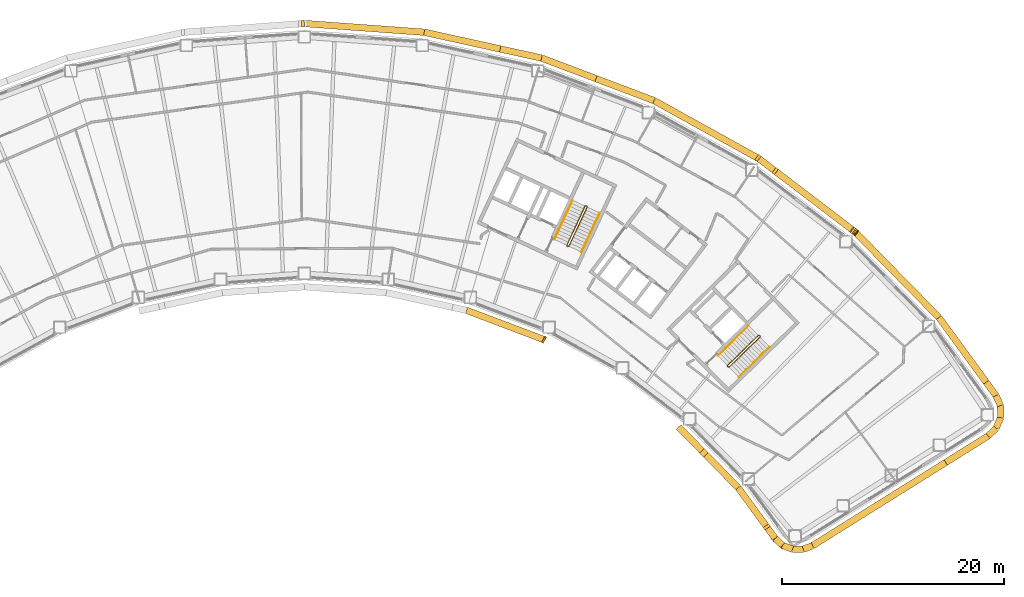
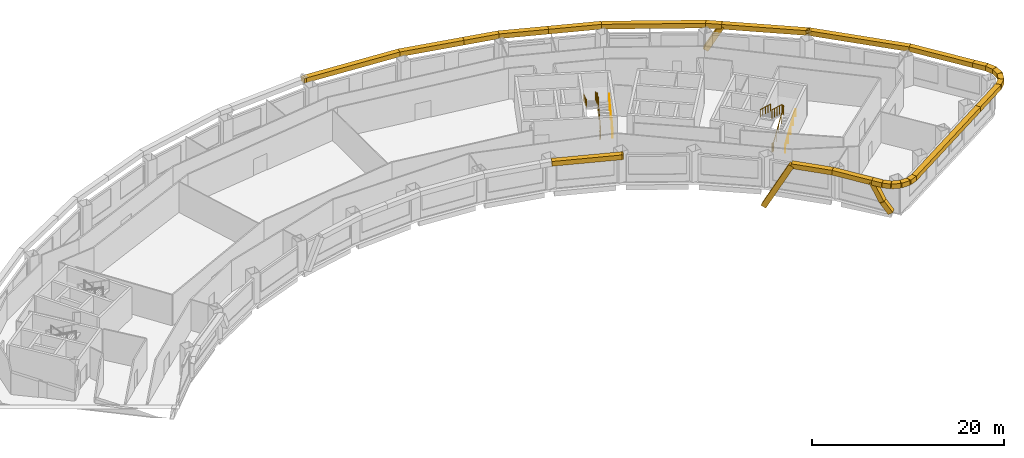
# One storey, part 12 of 12: 34 coverings, 6 railings.
"""IFC4 building model written with IfcOpenShell, lengths in metres."""

from ifc_helpers import new_model, si_unit, direction, frame, origin, origin_2d, place, context, subcontext, project, spatial, rectangle, circle, extrude, material, material_profile, profile_set, type_object, element, save


model = new_model("IFC4")

# Units and contexts
model_context = context("Model", 3, precision=1e-05, world=origin(), true_north=direction((0.0, 1.0)))
body_context = subcontext(model_context, "Body", "Model", "MODEL_VIEW")
ifc_project = project(units=[si_unit("LENGTHUNIT", "METRE"), si_unit("AREAUNIT", "SQUARE_METRE"), si_unit("VOLUMEUNIT", "CUBIC_METRE"), si_unit("PLANEANGLEUNIT", "RADIAN"), si_unit("MASSUNIT", "GRAM", prefix="KILO")], contexts=[model_context])

# Site, building, storey
site_placement = place(None, origin())
site = spatial("IfcSite", under=ifc_project, at=site_placement, CompositionType="ELEMENT")
building_placement = place(site_placement, origin())
building = spatial("IfcBuilding", under=site, at=building_placement, Name="Tuul Gate Civic Tower", CompositionType="ELEMENT")
storey_placement = place(building_placement, frame((0.0, 0.0, 103.5)))
storey = spatial("IfcBuildingStorey", under=building, at=storey_placement, Name="Level 23", CompositionType="ELEMENT", Elevation=103.5)

# Railings
ifc_material_1 = material(Name="Painted steel", Category="steel")
railing_type_1 = type_object("IfcRailingType", Name="Stair guard", PredefinedType="GUARDRAIL", material=ifc_material_1)
railing_1_placement = place(storey_placement, frame((48.10546875, -16.134765625, 0.0)))
element("IfcRailing", 1, at=railing_1_placement, inside=storey, type_object=railing_type_1, Name="Level 23 ST-3 stair guard 1", PredefinedType="GUARDRAIL", context=body_context, shape_type="SweptSolid", body=[
    extrude(circle(Radius=0.02392578125, at=origin_2d()), frame((0.0, 0.0, 1.076171875), z_axis=(-0.698506948293, 0.715603272202, 0.0), x_axis=(-0.715603272202, -0.698506948293, 0.0)), (0.0, 0.0, 1.0), 0.099853515625),
    extrude(circle(Radius=0.02392578125, at=origin_2d()), frame((-0.06982421875, 0.071533203125, 1.076171875), z_axis=(0.645446321009, -0.331687692741, 0.688027849131), x_axis=(0.457068866502, 0.889431307788, 0.0)), (0.0, 0.0, 1.0), 0.2177734375),
    extrude(circle(Radius=0.02392578125, at=origin_2d()), frame((0.07080078125, -0.000732421875, 1.22607421875), z_axis=(0.638715268259, 0.626117886127, 0.447235059857), x_axis=(-0.700029477518, 0.714113947914, 0.0)), (0.0, 0.0, 1.0), 4.360595703125),
    extrude(circle(Radius=0.02392578125, at=origin_2d()), frame((2.85595703125, 2.7294921875, 3.17626953125), z_axis=(0.010380063588, 0.999946125689, 0.0), x_axis=(-0.999946125689, 0.010380063588, 0.0)), (0.0, 0.0, 1.0), 0.070556640625),
    extrude(circle(Radius=0.02392578125, at=origin_2d()), frame((2.856689453125, 2.800048828125, 3.17626953125), z_axis=(-0.699754442181, 0.714383454909, 0.0), x_axis=(-0.714383454909, -0.699754442181, 0.0)), (0.0, 0.0, 1.0), 0.10009765625),
    extrude(circle(Radius=0.02392578125, at=origin_2d()), frame((2.78662109375, 2.87158203125, 3.17626953125), z_axis=(-0.427069033481, 0.004417955519, 0.904208229508), x_axis=(-0.010344274102, -0.999946496565, 0.0)), (0.0, 0.0, 1.0), 0.165771484375),
    extrude(circle(Radius=0.02392578125, at=origin_2d()), frame((2.7158203125, 2.872314453125, 3.326171875), z_axis=(-0.638731261263, -0.626133563701, 0.447190268558), x_axis=(0.700029477518, -0.714113947914, 0.0)), (0.0, 0.0, 1.0), 4.3603515625),
    extrude(circle(Radius=0.02099609375, at=origin_2d()), origin(), (0.0, 0.0, 1.0), 1.052001953125),
    extrude(circle(Radius=0.02099609375, at=origin_2d()), frame((-0.06982421875, 0.071533203125, 0.0)), (0.0, 0.0, 1.0), 1.052001953125),
    extrude(circle(Radius=0.02099609375, at=origin_2d()), frame((0.07080078125, -0.000732421875, 0.14990234375)), (0.0, 0.0, 1.0), 1.052001953125),
    extrude(circle(Radius=0.02099609375, at=origin_2d()), frame((0.76708984375, 0.681884765625, 0.637451171875)), (0.0, 0.0, 1.0), 1.052001953125),
    extrude(circle(Radius=0.02099609375, at=origin_2d()), frame((1.46337890625, 1.3642578125, 1.125)), (0.0, 0.0, 1.0), 1.052001953125),
    extrude(circle(Radius=0.02099609375, at=origin_2d()), frame((2.15966796875, 2.046875, 1.612548828125)), (0.0, 0.0, 1.0), 1.052001953125),
    extrude(circle(Radius=0.02099609375, at=origin_2d()), frame((2.85595703125, 2.7294921875, 2.10009765625)), (0.0, 0.0, 1.0), 1.052001953125),
    extrude(circle(Radius=0.02099609375, at=origin_2d()), frame((2.856689453125, 2.800048828125, 2.10009765625)), (0.0, 0.0, 1.0), 1.052001953125),
    extrude(circle(Radius=0.02099609375, at=origin_2d()), frame((2.78662109375, 2.87158203125, 2.10009765625)), (0.0, 0.0, 1.0), 1.052001953125),
    extrude(circle(Radius=0.02099609375, at=origin_2d()), frame((2.7158203125, 2.872314453125, 2.25)), (0.0, 0.0, 1.0), 1.052001953125),
    extrude(circle(Radius=0.02099609375, at=origin_2d()), frame((2.01953125, 2.189697265625, 2.737548828125)), (0.0, 0.0, 1.0), 1.052001953125),
    extrude(circle(Radius=0.02099609375, at=origin_2d()), frame((1.3232421875, 1.50732421875, 3.22509765625)), (0.0, 0.0, 1.0), 1.052001953125),
    extrude(circle(Radius=0.02099609375, at=origin_2d()), frame((0.626953125, 0.82470703125, 3.71240234375)), (0.0, 0.0, 1.0), 1.052001953125),
    extrude(circle(Radius=0.02099609375, at=origin_2d()), frame((-0.0693359375, 0.14208984375, 4.199951171875)), (0.0, 0.0, 1.0), 1.052001953125),
])
railing_2_placement = place(storey_placement, frame((33.645751953125, -5.238525390625, 0.0)))
element("IfcRailing", 2, at=railing_2_placement, inside=storey, type_object=railing_type_1, Name="Level 23 ST-4 stair guard 1", PredefinedType="GUARDRAIL", context=body_context, shape_type="SweptSolid", body=[
    extrude(circle(Radius=0.02392578125, at=origin_2d()), frame((0.0, 0.0, 1.076171875), z_axis=(-0.906307919131, 0.422617978463, 0.0), x_axis=(-0.422617978463, -0.906307919131, 0.0)), (0.0, 0.0, 1.0), 0.099853515625),
    extrude(circle(Radius=0.02392578125, at=origin_2d()), frame((-0.090576171875, 0.042236328125, 1.076171875), z_axis=(0.720735628292, -0.082946246491, 0.688229666829), x_axis=(0.114330889033, 0.993442724979, 0.0)), (0.0, 0.0, 1.0), 0.2177734375),
    extrude(circle(Radius=0.02392578125, at=origin_2d()), frame((0.06640625, 0.024169921875, 1.22607421875), z_axis=(0.377937439636, 0.810633814971, 0.447253965602), x_axis=(-0.906336612539, 0.422556439746, 0.0)), (0.0, 0.0, 1.0), 4.3603515625),
    extrude(circle(Radius=0.02392578125, at=origin_2d()), frame((1.71435546875, 3.558837890625, 3.17626953125), z_axis=(-0.342020437038, 0.939692513883, 0.0), x_axis=(-0.939692513883, -0.342020437038, 0.0)), (0.0, 0.0, 1.0), 0.070556640625),
    extrude(circle(Radius=0.02392578125, at=origin_2d()), frame((1.690185546875, 3.625244140625, 3.17626953125), z_axis=(-0.906307919131, 0.422617978463, 0.0), x_axis=(-0.422617978463, -0.906307919131, 0.0)), (0.0, 0.0, 1.0), 0.099853515625),
    extrude(circle(Radius=0.02392578125, at=origin_2d()), frame((1.599609375, 3.66748046875, 3.17626953125), z_axis=(-0.40070210376, -0.145843780413, 0.904526072458), x_axis=(0.342020437038, -0.939692513883, 0.0)), (0.0, 0.0, 1.0), 0.165771484375),
    extrude(circle(Radius=0.02392578125, at=origin_2d()), frame((1.533203125, 3.643310546875, 3.326171875), z_axis=(-0.377946903738, -0.810654114417, 0.447209173356), x_axis=(0.906336612539, -0.422556439746, 0.0)), (0.0, 0.0, 1.0), 4.3603515625),
    extrude(circle(Radius=0.02099609375, at=origin_2d()), origin(), (0.0, 0.0, 1.0), 1.052001953125),
    extrude(circle(Radius=0.02099609375, at=origin_2d()), frame((-0.090576171875, 0.042236328125, 0.0)), (0.0, 0.0, 1.0), 1.052001953125),
    extrude(circle(Radius=0.02099609375, at=origin_2d()), frame((0.06640625, 0.024169921875, 0.14990234375)), (0.0, 0.0, 1.0), 1.052001953125),
    extrude(circle(Radius=0.02099609375, at=origin_2d()), frame((0.478515625, 0.90771484375, 0.637451171875)), (0.0, 0.0, 1.0), 1.052001953125),
    extrude(circle(Radius=0.02099609375, at=origin_2d()), frame((0.890380859375, 1.79150390625, 1.125)), (0.0, 0.0, 1.0), 1.052001953125),
    extrude(circle(Radius=0.02099609375, at=origin_2d()), frame((1.30224609375, 2.67529296875, 1.612548828125)), (0.0, 0.0, 1.0), 1.052001953125),
    extrude(circle(Radius=0.02099609375, at=origin_2d()), frame((1.71435546875, 3.558837890625, 2.10009765625)), (0.0, 0.0, 1.0), 1.052001953125),
    extrude(circle(Radius=0.02099609375, at=origin_2d()), frame((1.690185546875, 3.625244140625, 2.10009765625)), (0.0, 0.0, 1.0), 1.052001953125),
    extrude(circle(Radius=0.02099609375, at=origin_2d()), frame((1.599609375, 3.66748046875, 2.10009765625)), (0.0, 0.0, 1.0), 1.052001953125),
    extrude(circle(Radius=0.02099609375, at=origin_2d()), frame((1.533203125, 3.643310546875, 2.25)), (0.0, 0.0, 1.0), 1.052001953125),
    extrude(circle(Radius=0.02099609375, at=origin_2d()), frame((1.12109375, 2.759765625, 2.737548828125)), (0.0, 0.0, 1.0), 1.052001953125),
    extrude(circle(Radius=0.02099609375, at=origin_2d()), frame((0.709228515625, 1.8759765625, 3.22509765625)), (0.0, 0.0, 1.0), 1.052001953125),
    extrude(circle(Radius=0.02099609375, at=origin_2d()), frame((0.29736328125, 0.9921875, 3.71240234375)), (0.0, 0.0, 1.0), 1.052001953125),
    extrude(circle(Radius=0.02099609375, at=origin_2d()), frame((-0.11474609375, 0.108642578125, 4.199951171875)), (0.0, 0.0, 1.0), 1.052001953125),
])
ifc_material_2 = material(Name="Painted steel", Category="steel")
railing_type_2 = type_object("IfcRailingType", Name="Stair handrail", PredefinedType="HANDRAIL", material=ifc_material_2)
railing_3_placement = place(storey_placement, frame((49.05126953125, -17.028076171875, 0.14990234375)))
element("IfcRailing", 3, at=railing_3_placement, inside=storey, type_object=railing_type_2, Name="Level 23 ST-3 stair handrail 1", PredefinedType="HANDRAIL", context=body_context, shape_type="SweptSolid", body=[
    extrude(circle(Radius=0.02392578125, at=origin_2d()), frame((0.0, 0.0, 0.8759765625), z_axis=(0.638737658801, 0.626083844733, 0.447250737947), x_axis=(-0.699997553204, 0.714145241186, 0.0)), (0.0, 0.0, 1.0), 4.3603515625),
    extrude(circle(Radius=0.02099609375, at=origin_2d()), origin(), (0.0, 0.0, 1.0), 0.851806640625),
    extrude(circle(Radius=0.02099609375, at=origin_2d()), frame((0.6962890625, 0.6826171875, 0.487548828125)), (0.0, 0.0, 1.0), 0.851806640625),
    extrude(circle(Radius=0.02099609375, at=origin_2d()), frame((1.392578125, 1.364990234375, 0.97509765625)), (0.0, 0.0, 1.0), 0.851806640625),
    extrude(circle(Radius=0.02099609375, at=origin_2d()), frame((2.0888671875, 2.04736328125, 1.462646484375)), (0.0, 0.0, 1.0), 0.851806640625),
    extrude(circle(Radius=0.02099609375, at=origin_2d()), frame((2.78515625, 2.72998046875, 1.9501953125)), (0.0, 0.0, 1.0), 0.851806640625),
])
railing_4_placement = place(storey_placement, frame((49.9462890625, -12.369873046875, 2.25)))
element("IfcRailing", 4, at=railing_4_placement, inside=storey, type_object=railing_type_2, Name="Level 23 ST-3 stair handrail 2", PredefinedType="HANDRAIL", context=body_context, shape_type="SweptSolid", body=[
    extrude(circle(Radius=0.02392578125, at=origin_2d()), frame((0.0, 0.0, 0.8759765625), z_axis=(-0.638753653487, -0.626099522554, 0.447205945863), x_axis=(0.699997553204, -0.714145241186, 0.0)), (0.0, 0.0, 1.0), 4.3603515625),
    extrude(circle(Radius=0.02099609375, at=origin_2d()), origin(), (0.0, 0.0, 1.0), 0.851806640625),
    extrude(circle(Radius=0.02099609375, at=origin_2d()), frame((-0.6962890625, -0.6826171875, 0.487548828125)), (0.0, 0.0, 1.0), 0.851806640625),
    extrude(circle(Radius=0.02099609375, at=origin_2d()), frame((-1.392578125, -1.364990234375, 0.97509765625)), (0.0, 0.0, 1.0), 0.851806640625),
    extrude(circle(Radius=0.02099609375, at=origin_2d()), frame((-2.0888671875, -2.04736328125, 1.46240234375)), (0.0, 0.0, 1.0), 0.851806640625),
    extrude(circle(Radius=0.02099609375, at=origin_2d()), frame((-2.78515625, -2.72998046875, 1.949951171875)), (0.0, 0.0, 1.0), 0.851806640625),
])
railing_5_placement = place(storey_placement, frame((34.844970703125, -5.74267578125, 0.14990234375)))
element("IfcRailing", 5, at=railing_5_placement, inside=storey, type_object=railing_type_2, Name="Level 23 ST-4 stair handrail 1", PredefinedType="HANDRAIL", context=body_context, shape_type="SweptSolid", body=[
    extrude(circle(Radius=0.02392578125, at=origin_2d()), frame((0.0, 0.0, 0.8759765625), z_axis=(0.377985431313, 0.810616660428, 0.447244500863), x_axis=(-0.906312636903, 0.422607861012, 0.0)), (0.0, 0.0, 1.0), 4.3603515625),
    extrude(circle(Radius=0.02099609375, at=origin_2d()), origin(), (0.0, 0.0, 1.0), 0.851806640625),
    extrude(circle(Radius=0.02099609375, at=origin_2d()), frame((0.412109375, 0.8837890625, 0.487548828125)), (0.0, 0.0, 1.0), 0.851806640625),
    extrude(circle(Radius=0.02099609375, at=origin_2d()), frame((0.82421875, 1.767333984375, 0.97509765625)), (0.0, 0.0, 1.0), 0.851806640625),
    extrude(circle(Radius=0.02099609375, at=origin_2d()), frame((1.236083984375, 2.65087890625, 1.462646484375)), (0.0, 0.0, 1.0), 0.851806640625),
    extrude(circle(Radius=0.02099609375, at=origin_2d()), frame((1.648193359375, 3.53466796875, 1.9501953125)), (0.0, 0.0, 1.0), 0.851806640625),
])
railing_6_placement = place(storey_placement, frame((34.046142578125, -1.06689453125, 2.25)))
element("IfcRailing", 6, at=railing_6_placement, inside=storey, type_object=railing_type_2, Name="Level 23 ST-4 stair handrail 2", PredefinedType="HANDRAIL", context=body_context, shape_type="SweptSolid", body=[
    extrude(circle(Radius=0.02392578125, at=origin_2d()), frame((0.0, 0.0, 0.8759765625), z_axis=(-0.377994896215, -0.810636958585, 0.447199709091), x_axis=(0.906312636903, -0.422607861012, 0.0)), (0.0, 0.0, 1.0), 4.3603515625),
    extrude(circle(Radius=0.02099609375, at=origin_2d()), origin(), (0.0, 0.0, 1.0), 0.851806640625),
    extrude(circle(Radius=0.02099609375, at=origin_2d()), frame((-0.412109375, -0.8837890625, 0.487548828125)), (0.0, 0.0, 1.0), 0.851806640625),
    extrude(circle(Radius=0.02099609375, at=origin_2d()), frame((-0.82421875, -1.767333984375, 0.97509765625)), (0.0, 0.0, 1.0), 0.851806640625),
    extrude(circle(Radius=0.02099609375, at=origin_2d()), frame((-1.236083984375, -2.65087890625, 1.46240234375)), (0.0, 0.0, 1.0), 0.851806640625),
    extrude(circle(Radius=0.02099609375, at=origin_2d()), frame((-1.648193359375, -3.53466796875, 1.949951171875)), (0.0, 0.0, 1.0), 0.851806640625),
])

# Coverings
ifc_material_3 = material(Name="Terracotta baguette", Category="masonry")
ifc_material_profile = material_profile(ifc_material_3, rectangle(XDim=0.60009765625, YDim=0.60009765625, at=origin_2d()), Name="Terracotta baguette screen frame")
ifc_profile_set = profile_set([ifc_material_profile], Name="Terracotta baguette")
covering_type = type_object("IfcCoveringType", Name="Terracotta baguette screen frame", PredefinedType="CLADDING", material=ifc_profile_set)
covering_1_placement = place(storey_placement, frame((67.73046875, -24.738525390625, 3.85009765625), z_axis=(0.848058898511, 0.529901976461, 0.0), x_axis=(-0.529901976461, 0.848058898511, 0.0)))
element("IfcCovering", 7, at=covering_1_placement, inside=storey, type_object=covering_type, Name="Baguette 4", PredefinedType="CLADDING", context=body_context, shape_type="SweptSolid", body=[
    extrude(rectangle(XDim=0.60009765625, YDim=0.60009765625, at=origin_2d()), origin(), (0.0, 0.0, 1.0), 4.526611328125),
])
covering_2_placement = place(storey_placement, frame((71.5693359375, -22.33984375, 3.85009765625), z_axis=(0.721550422979, 0.69236189027, 0.0), x_axis=(-0.69236189027, 0.721550422979, 0.0)))
element("IfcCovering", 8, at=covering_2_placement, inside=storey, type_object=covering_type, Name="Baguette 5", PredefinedType="CLADDING", context=body_context, shape_type="SweptSolid", body=[
    extrude(rectangle(XDim=0.60009765625, YDim=0.60009765625, at=origin_2d()), origin(), (0.0, 0.0, 1.0), 0.987060546875),
])
for number, where, z_axis, x_axis, name in (
    (9, (72.281494140625, -21.656494140625, 3.85009765625), (0.386726676251, 0.922194381829, 0.0), (-0.922194381829, 0.386726676251, 0.0), "Baguette 6"),
    (10, (72.694091796875, -20.672607421875, 3.85009765625), (-0.014414978083, 0.999896098806, 0.0), (-0.999896098806, -0.014414978083, 0.0), "Baguette 7"),
):
    element("IfcCovering", number, at=place(storey_placement, frame(where, z_axis=z_axis, x_axis=x_axis)), inside=storey, type_object=covering_type, Name=name, PredefinedType="CLADDING", context=body_context, shape_type="SweptSolid", body=[
        extrude(rectangle(XDim=0.60009765625, YDim=0.60009765625, at=origin_2d()), origin(), (0.0, 0.0, 1.0), 1.06689453125),
    ])
covering_3_placement = place(storey_placement, frame((72.6787109375, -19.605712890625, 3.85009765625), z_axis=(-0.4130215853, 0.910721236206, 0.0), x_axis=(-0.910721236206, -0.4130215853, 0.0)))
element("IfcCovering", 11, at=covering_3_placement, inside=storey, type_object=covering_type, Name="Baguette 8", PredefinedType="CLADDING", context=body_context, shape_type="SweptSolid", body=[
    extrude(rectangle(XDim=0.60009765625, YDim=0.60009765625, at=origin_2d()), origin(), (0.0, 0.0, 1.0), 0.989013671875),
])
covering_4_placement = place(storey_placement, frame((72.270263671875, -18.705078125, 3.85009765625), z_axis=(-0.589762746012, 0.807576561953, 0.0), x_axis=(-0.807576561953, -0.589762746012, 0.0)))
element("IfcCovering", 12, at=covering_4_placement, inside=storey, type_object=covering_type, Name="Baguette 9", PredefinedType="CLADDING", context=body_context, shape_type="SweptSolid", body=[
    extrude(rectangle(XDim=0.60009765625, YDim=0.60009765625, at=origin_2d()), origin(), (0.0, 0.0, 1.0), 1.4951171875),
])
covering_5_placement = place(storey_placement, frame((59.522705078125, -3.902099609375, 4.0185546875), z_axis=(-0.378602080571, 0.288094512488, -0.879580591226), x_axis=(-0.605558723576, -0.795800623461, 0.0)))
element("IfcCovering", 13, at=covering_5_placement, inside=storey, type_object=covering_type, Name="Baguette 28", PredefinedType="CLADDING", context=body_context, shape_type="SweptSolid", body=[
    extrude(rectangle(XDim=0.60009765625, YDim=0.60009765625, at=origin_2d()), origin(), (0.0, 0.0, 1.0), 0.19140625),
])
covering_6_placement = place(storey_placement, frame((59.4501953125, -3.846923828125, 3.85009765625), z_axis=(0.378177979308, -0.287771795702, -0.879868631993), x_axis=(0.605558723576, 0.795800623461, 0.0)))
element("IfcCovering", 14, at=covering_6_placement, inside=storey, type_object=covering_type, Name="Baguette 31", PredefinedType="CLADDING", context=body_context, shape_type="SweptSolid", body=[
    extrude(rectangle(XDim=0.60009765625, YDim=0.60009765625, at=origin_2d()), origin(), (0.0, 0.0, 1.0), 0.191650390625),
])
covering_7_placement = place(storey_placement, frame((59.4501953125, -3.846923828125, 3.85009765625), z_axis=(-0.795619472346, 0.605796711136, 0.0), x_axis=(-0.605796711136, -0.795619472346, 0.0)))
element("IfcCovering", 15, at=covering_7_placement, inside=storey, type_object=covering_type, Name="Baguette 33", PredefinedType="CLADDING", context=body_context, shape_type="SweptSolid", body=[
    extrude(rectangle(XDim=0.60009765625, YDim=0.60009765625, at=origin_2d()), origin(), (0.0, 0.0, 1.0), 9.072509765625),
])
covering_8_placement = place(storey_placement, frame((52.23193359375, 1.649169921875, 3.85009765625), z_axis=(-0.37802647265, 0.287849975901, -0.879908164157), x_axis=(-0.605816557049, -0.795604360977, 0.0)))
element("IfcCovering", 16, at=covering_8_placement, inside=storey, type_object=covering_type, Name="Baguette 37", PredefinedType="CLADDING", context=body_context, shape_type="SweptSolid", body=[
    extrude(rectangle(XDim=0.60009765625, YDim=0.60009765625, at=origin_2d()), origin(), (0.0, 0.0, 1.0), 3.552001953125),
])
covering_9_placement = place(storey_placement, frame((36.15478515625, 9.914794921875, 3.85009765625), z_axis=(-0.935382818769, 0.353636794398, 0.0), x_axis=(-0.353636794398, -0.935382818769, 0.0)))
element("IfcCovering", 17, at=covering_9_placement, inside=storey, type_object=covering_type, Name="Baguette 54", PredefinedType="CLADDING", context=body_context, shape_type="SweptSolid", body=[
    extrude(rectangle(XDim=0.60009765625, YDim=0.60009765625, at=origin_2d()), origin(), (0.0, 0.0, 1.0), 5.245361328125),
])
covering_10_placement = place(storey_placement, frame((31.248291015625, 11.769775390625, 3.85009765625), z_axis=(-0.976560859311, 0.215241464549, 0.0), x_axis=(-0.215241464549, -0.976560859311, 0.0)))
element("IfcCovering", 18, at=covering_10_placement, inside=storey, type_object=covering_type, Name="Baguette 55", PredefinedType="CLADDING", context=body_context, shape_type="SweptSolid", body=[
    extrude(rectangle(XDim=0.60009765625, YDim=0.60009765625, at=origin_2d()), origin(), (0.0, 0.0, 1.0), 3.826904296875),
])
covering_11_placement = place(storey_placement, frame((24.471435546875, -11.004638671875, 3.85009765625), z_axis=(0.935357193845, -0.353704565878, 0.0), x_axis=(0.353704565878, 0.935357193845, 0.0)))
element("IfcCovering", 19, at=covering_11_placement, inside=storey, type_object=covering_type, Name="Baguette 230", PredefinedType="CLADDING", context=body_context, shape_type="SweptSolid", body=[
    extrude(rectangle(XDim=0.60009765625, YDim=0.60009765625, at=origin_2d()), origin(), (0.0, 0.0, 1.0), 7.41796875),
])
covering_12_placement = place(storey_placement, frame((31.409912109375, -13.62841796875, 3.85009765625), z_axis=(0.875065648596, -0.484004246518, 0.0), x_axis=(0.484004246518, 0.875065648596, 0.0)))
element("IfcCovering", 20, at=covering_12_placement, inside=storey, type_object=covering_type, Name="Baguette 231", PredefinedType="CLADDING", context=body_context, shape_type="SweptSolid", body=[
    extrude(rectangle(XDim=0.60009765625, YDim=0.60009765625, at=origin_2d()), origin(), (0.0, 0.0, 1.0), 0.13916015625),
])
covering_13_placement = place(storey_placement, frame((45.904541015625, -23.8662109375, 3.85009765625), z_axis=(-0.32632537998, 0.332872323124, -0.884707727376), x_axis=(-0.714094324474, -0.700049495218, 0.0)))
element("IfcCovering", 21, at=covering_13_placement, inside=storey, type_object=covering_type, Name="Baguette 250", PredefinedType="CLADDING", context=body_context, shape_type="SweptSolid", body=[
    extrude(rectangle(XDim=0.60009765625, YDim=0.60009765625, at=origin_2d()), origin(), (0.0, 0.0, 1.0), 6.451416015625),
])
covering_14_placement = place(storey_placement, frame((45.904541015625, -23.8662109375, 3.85009765625), z_axis=(0.700042634993, -0.714101049706, 0.0), x_axis=(0.714101049706, 0.700042634993, 0.0)))
element("IfcCovering", 22, at=covering_14_placement, inside=storey, type_object=covering_type, Name="Baguette 252", PredefinedType="CLADDING", context=body_context, shape_type="SweptSolid", body=[
    extrude(rectangle(XDim=0.60009765625, YDim=0.60009765625, at=origin_2d()), origin(), (0.0, 0.0, 1.0), 4.410888671875),
])
covering_15_placement = place(storey_placement, frame((48.992431640625, -27.01611328125, 3.85009765625), z_axis=(0.589715825442, -0.807610825351, 0.0), x_axis=(0.807610825351, 0.589715825442, 0.0)))
element("IfcCovering", 23, at=covering_15_placement, inside=storey, type_object=covering_type, Name="Baguette 253", PredefinedType="CLADDING", context=body_context, shape_type="SweptSolid", body=[
    extrude(rectangle(XDim=0.60009765625, YDim=0.60009765625, at=origin_2d()), origin(), (0.0, 0.0, 1.0), 4.518798828125),
])
covering_16_placement = place(storey_placement, frame((51.6572265625, -30.66552734375, 3.85009765625), z_axis=(0.278689407579, -0.381596272159, -0.881315209887), x_axis=(0.807561873714, 0.589782858452, 0.0)))
element("IfcCovering", 24, at=covering_16_placement, inside=storey, type_object=covering_type, Name="Baguette 258", PredefinedType="CLADDING", context=body_context, shape_type="SweptSolid", body=[
    extrude(rectangle(XDim=0.60009765625, YDim=0.60009765625, at=origin_2d()), origin(), (0.0, 0.0, 1.0), 2.43896484375),
])
covering_17_placement = place(storey_placement, frame((52.3369140625, -31.59619140625, 1.70068359375), z_axis=(0.418440465223, -0.391899916427, -0.819342439136), x_axis=(0.683580829185, 0.729874818013, 0.0)))
element("IfcCovering", 25, at=covering_17_placement, inside=storey, type_object=covering_type, Name="Baguette 259", PredefinedType="CLADDING", context=body_context, shape_type="SweptSolid", body=[
    extrude(rectangle(XDim=0.60009765625, YDim=0.60009765625, at=origin_2d()), origin(), (0.0, 0.0, 1.0), 1.572998046875),
])
covering_18_placement = place(storey_placement, frame((71.388427734375, -17.49755859375, 3.85009765625), z_axis=(-0.589828854235, 0.807528279822, 0.0), x_axis=(-0.807528279822, -0.589828854235, 0.0)))
element("IfcCovering", 26, at=covering_18_placement, inside=storey, type_object=covering_type, Name="Baguette 291", PredefinedType="CLADDING", context=body_context, shape_type="SweptSolid", body=[
    extrude(rectangle(XDim=0.60009765625, YDim=0.60009765625, at=origin_2d()), origin(), (0.0, 0.0, 1.0), 7.239013671875),
])
covering_19_placement = place(storey_placement, frame((67.11865234375, -11.65185546875, 3.85009765625), z_axis=(-0.699984355025, 0.714158177661, 0.0), x_axis=(-0.714158177661, -0.699984355025, 0.0)))
element("IfcCovering", 27, at=covering_19_placement, inside=storey, type_object=covering_type, Name="Baguette 292", PredefinedType="CLADDING", context=body_context, shape_type="SweptSolid", body=[
    extrude(rectangle(XDim=0.60009765625, YDim=0.60009765625, at=origin_2d()), origin(), (0.0, 0.0, 1.0), 10.8515625),
])
covering_20_placement = place(storey_placement, frame((59.522705078125, -3.902099609375, 3.85009765625), z_axis=(-0.795800623461, 0.605558723576, 0.0), x_axis=(-0.605558723576, -0.795800623461, 0.0)))
element("IfcCovering", 28, at=covering_20_placement, inside=storey, type_object=covering_type, Name="Baguette 293", PredefinedType="CLADDING", context=body_context, shape_type="SweptSolid", body=[
    extrude(rectangle(XDim=0.60009765625, YDim=0.60009765625, at=origin_2d()), origin(), (0.0, 0.0, 1.0), 0.091064453125),
])
covering_21_placement = place(storey_placement, frame((52.23193359375, 1.649169921875, 3.85009765625), z_axis=(-0.795604360977, 0.605816557049, 0.0), x_axis=(-0.605816557049, -0.795604360977, 0.0)))
element("IfcCovering", 29, at=covering_21_placement, inside=storey, type_object=covering_type, Name="Baguette 300", PredefinedType="CLADDING", context=body_context, shape_type="SweptSolid", body=[
    extrude(rectangle(XDim=0.60009765625, YDim=0.60009765625, at=origin_2d()), origin(), (0.0, 0.0, 1.0), 1.687744140625),
])
covering_22_placement = place(storey_placement, frame((50.88916015625, 2.671630859375, 3.85009765625), z_axis=(-0.874626999089, 0.484796464987, 0.0), x_axis=(-0.484796464987, -0.874626999089, 0.0)))
element("IfcCovering", 30, at=covering_22_placement, inside=storey, type_object=covering_type, Name="Baguette 301", PredefinedType="CLADDING", context=body_context, shape_type="SweptSolid", body=[
    extrude(rectangle(XDim=0.60009765625, YDim=0.60009765625, at=origin_2d()), origin(), (0.0, 0.0, 1.0), 10.8515625),
])
covering_23_placement = place(storey_placement, frame((41.398193359375, 7.932373046875, 3.85009765625), z_axis=(-0.935378952013, 0.353647021946, 0.0), x_axis=(-0.353647021946, -0.935378952013, 0.0)))
element("IfcCovering", 31, at=covering_23_placement, inside=storey, type_object=covering_type, Name="Baguette 302", PredefinedType="CLADDING", context=body_context, shape_type="SweptSolid", body=[
    extrude(rectangle(XDim=0.60009765625, YDim=0.60009765625, at=origin_2d()), origin(), (0.0, 0.0, 1.0), 5.605712890625),
])
covering_24_placement = place(storey_placement, frame((27.510986328125, 12.593505859375, 3.85009765625), z_axis=(-0.976573958197, 0.215182025668, 0.0), x_axis=(-0.215182025668, -0.976573958197, 0.0)))
element("IfcCovering", 32, at=covering_24_placement, inside=storey, type_object=covering_type, Name="Baguette 306", PredefinedType="CLADDING", context=body_context, shape_type="SweptSolid", body=[
    extrude(rectangle(XDim=0.60009765625, YDim=0.60009765625, at=origin_2d()), origin(), (0.0, 0.0, 1.0), 7.024169921875),
])
covering_25_placement = place(storey_placement, frame((20.6513671875, 14.10498046875, 3.85009765625), z_axis=(-0.997380210295, 0.072337515252, 0.0), x_axis=(-0.072337515252, -0.997380210295, 0.0)))
element("IfcCovering", 33, at=covering_25_placement, inside=storey, type_object=covering_type, Name="Baguette 307", PredefinedType="CLADDING", context=body_context, shape_type="SweptSolid", body=[
    extrude(rectangle(XDim=0.60009765625, YDim=0.60009765625, at=origin_2d()), origin(), (0.0, 0.0, 1.0), 10.8505859375),
])
covering_26_placement = place(storey_placement, frame((9.8291015625, 14.889892578125, 3.85009765625), z_axis=(-0.997444910105, -0.071439843969, 0.0), x_axis=(0.071439843969, -0.997444910105, 0.0)))
element("IfcCovering", 34, at=covering_26_placement, inside=storey, type_object=covering_type, Name="Baguette 308", PredefinedType="CLADDING", context=body_context, shape_type="SweptSolid", body=[
    extrude(rectangle(XDim=0.60009765625, YDim=0.60009765625, at=origin_2d()), origin(), (0.0, 0.0, 1.0), 0.27001953125),
])
covering_27_placement = place(storey_placement, frame((51.6572265625, -30.66552734375, 3.85009765625), z_axis=(0.589782858452, -0.807561873714, 0.0), x_axis=(0.807561873714, 0.589782858452, 0.0)))
element("IfcCovering", 35, at=covering_27_placement, inside=storey, type_object=covering_type, Name="Baguette 371", PredefinedType="CLADDING", context=body_context, shape_type="SweptSolid", body=[
    extrude(rectangle(XDim=0.60009765625, YDim=0.60009765625, at=origin_2d()), origin(), (0.0, 0.0, 1.0), 1.15234375),
])
covering_28_placement = place(storey_placement, frame((52.3369140625, -31.59619140625, 3.85009765625), z_axis=(0.729874818013, -0.683580829185, 0.0), x_axis=(0.683580829185, 0.729874818013, 0.0)))
element("IfcCovering", 36, at=covering_28_placement, inside=storey, type_object=covering_type, Name="Baguette 372", PredefinedType="CLADDING", context=body_context, shape_type="SweptSolid", body=[
    extrude(rectangle(XDim=0.60009765625, YDim=0.60009765625, at=origin_2d()), origin(), (0.0, 0.0, 1.0), 0.90185546875),
])
covering_29_placement = place(storey_placement, frame((52.9951171875, -32.212646484375, 3.85009765625), z_axis=(0.92951118864, -0.368793912902, 0.0), x_axis=(0.368793912902, 0.92951118864, 0.0)))
element("IfcCovering", 37, at=covering_29_placement, inside=storey, type_object=covering_type, Name="Baguette 373", PredefinedType="CLADDING", context=body_context, shape_type="SweptSolid", body=[
    extrude(rectangle(XDim=0.60009765625, YDim=0.60009765625, at=origin_2d()), origin(), (0.0, 0.0, 1.0), 0.97314453125),
])
covering_30_placement = place(storey_placement, frame((53.899658203125, -32.571533203125, 3.85009765625), z_axis=(0.99999546609, -0.003011278693, 0.0), x_axis=(0.003011278693, 0.99999546609, 0.0)))
element("IfcCovering", 38, at=covering_30_placement, inside=storey, type_object=covering_type, Name="Baguette 374", PredefinedType="CLADDING", context=body_context, shape_type="SweptSolid", body=[
    extrude(rectangle(XDim=0.60009765625, YDim=0.60009765625, at=origin_2d()), origin(), (0.0, 0.0, 1.0), 0.972900390625),
])
covering_31_placement = place(storey_placement, frame((54.87255859375, -32.574462890625, 3.85009765625), z_axis=(0.931979284309, 0.362511535842, 0.0), x_axis=(-0.362511535842, 0.931979284309, 0.0)))
element("IfcCovering", 39, at=covering_31_placement, inside=storey, type_object=covering_type, Name="Baguette 375", PredefinedType="CLADDING", context=body_context, shape_type="SweptSolid", body=[
    extrude(rectangle(XDim=0.60009765625, YDim=0.60009765625, at=origin_2d()), origin(), (0.0, 0.0, 1.0), 0.90234375),
])
covering_32_placement = place(storey_placement, frame((55.713623046875, -32.247314453125, 3.85009765625), z_axis=(0.848053472545, 0.529910660116, 0.0), x_axis=(-0.529910660116, 0.848053472545, 0.0)))
element("IfcCovering", 40, at=covering_32_placement, inside=storey, type_object=covering_type, Name="Baguette 376", PredefinedType="CLADDING", context=body_context, shape_type="SweptSolid", body=[
    extrude(rectangle(XDim=0.60009765625, YDim=0.60009765625, at=origin_2d()), origin(), (0.0, 0.0, 1.0), 14.169921875),
])

save(model, "model.ifc")
